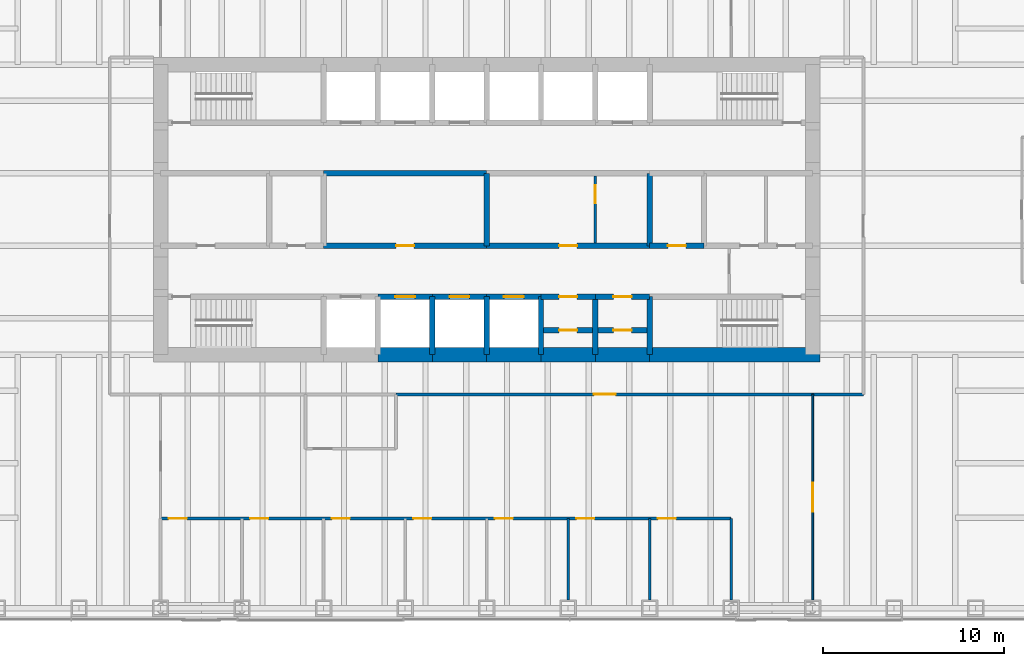
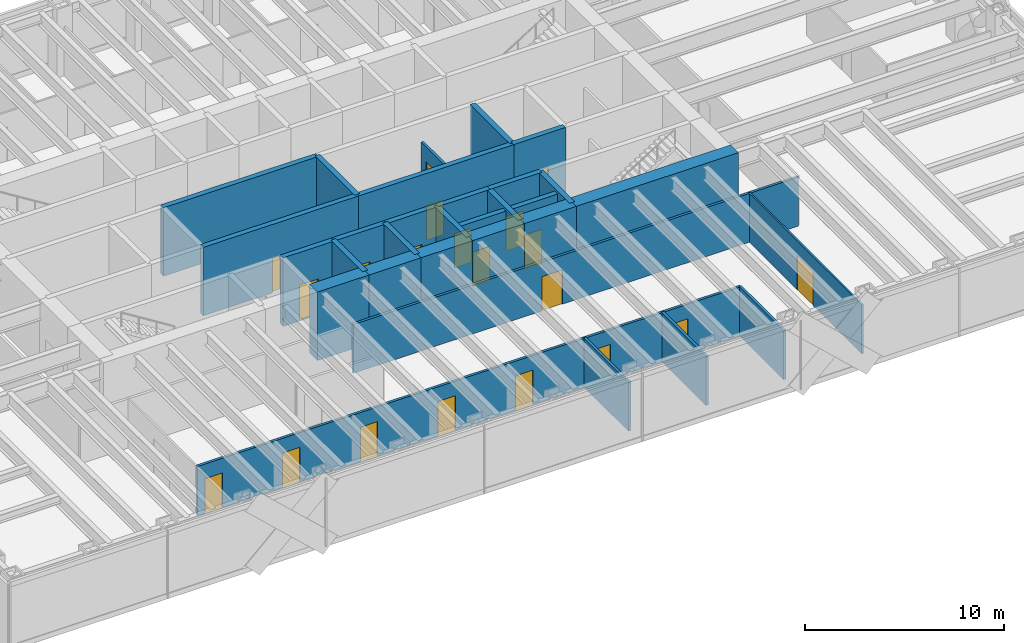
# One storey, part 11 of 14: 31 walls, 20 doors, 20 openings.
"""IFC4 building model written with IfcOpenShell, lengths in metres."""

from ifc_helpers import new_model, si_unit, direction, frame, frame_2d, origin, place, context, subcontext, project, spatial, rectangle, extrude, material, layer, layer_set, type_object, element, fill, save


model = new_model("IFC4")

# Units and contexts
model_context = context("Model", 3, precision=1e-05, world=origin(), true_north=direction((0.0, 1.0)))
body_context = subcontext(model_context, "Body", "Model", "MODEL_VIEW")
ifc_project = project(units=[si_unit("LENGTHUNIT", "METRE"), si_unit("AREAUNIT", "SQUARE_METRE"), si_unit("VOLUMEUNIT", "CUBIC_METRE"), si_unit("PLANEANGLEUNIT", "RADIAN"), si_unit("MASSUNIT", "GRAM", prefix="KILO")], contexts=[model_context])

# Site, building, storey
site_placement = place(None, origin())
site = spatial("IfcSite", under=ifc_project, at=site_placement, CompositionType="ELEMENT")
building_placement = place(site_placement, origin())
building = spatial("IfcBuilding", under=site, at=building_placement, Name="Rheinbord Bourse Tower", CompositionType="ELEMENT")
storey_placement = place(building_placement, frame((0.0, 0.0, 198.39990234375)))
storey = spatial("IfcBuildingStorey", under=building, at=storey_placement, Name="L44", CompositionType="ELEMENT", Elevation=198.39990234375)

# Wall, opening, door
ifc_material_1 = material(Name="Concrete C50/60", Category="concrete")
ifc_layer_1 = layer(ifc_material_1, 0.300048828125)
ifc_layer_set_1 = layer_set([ifc_layer_1], Name="CORE INNER WALL 300")
wall_type_1 = type_object("IfcWallType", Name="CORE INNER WALL 300", PredefinedType="SOLIDWALL", material=ifc_layer_set_1)
wall_1_placement = place(storey_placement, frame((30.0, 19.199951171875, 0.0), z_axis=(0.0, 0.0, 1.0), x_axis=(1.0, 0.0, 0.0)))
wall_1 = element("IfcWall", 1, at=wall_1_placement, inside=storey, type_object=wall_type_1, Name="Core wall A3 L44", PredefinedType="SOLIDWALL", context=body_context, shape_type="SweptSolid", body=[
    extrude(rectangle(XDim=3.0, YDim=0.300048828125, at=frame_2d((1.5, 0.0))), origin(), (0.0, 0.0, 1.0), 4.2001953125),
])
opening_1_placement = place(wall_1_placement, frame((0.949951171875, 0.0, 0.0)))
opening_1 = element("IfcOpeningElement", 2, at=opening_1_placement, cuts=wall_1, Name="Opening PC1", PredefinedType="OPENING", context=body_context, shape_type="SweptSolid", body=[
    extrude(rectangle(XDim=1.10009765625, YDim=2.199951171875, at=frame_2d((0.550048828125, 1.10009765625))), frame((0.0, 0.159912109375, 0.0), z_axis=(0.0, -1.0, 0.0), x_axis=(1.0, 0.0, 0.0)), (0.0, 0.0, 1.0), 0.320068359375),
])
ifc_material_2 = material(Name="Steel landing door", Category="steel")
door_type_1 = type_object("IfcDoorType", Name="LIFT LANDING DOOR 1100", OperationType="DOUBLE_DOOR_SLIDING", PredefinedType="USERDEFINED", material=ifc_material_2)
door_1_placement = place(opening_1_placement, origin())
door_1 = element("IfcDoor", 3, at=door_1_placement, inside=storey, type_object=door_type_1, Name="Lift landing door PC1 L44", ObjectType="LIFT LANDING DOOR", OperationType="DOUBLE_DOOR_SLIDING", OverallHeight=2.199951171875, OverallWidth=1.10009765625, PredefinedType="USERDEFINED", context=body_context, shape_type="SweptSolid", body=[
    extrude(rectangle(XDim=1.10009765625, YDim=2.199951171875, at=frame_2d((0.550048828125, 1.10009765625))), frame((0.0, 0.02490234375, 0.0), z_axis=(0.0, -1.0, 0.0), x_axis=(1.0, 0.0, 0.0)), (0.0, 0.0, 1.0), 0.050048828125),
])
fill(opening_1, door_1)

wall_2_placement = place(storey_placement, frame((33.0, 19.199951171875, 0.0), z_axis=(0.0, 0.0, 1.0), x_axis=(1.0, 0.0, 0.0)))
wall_2 = element("IfcWall", 4, at=wall_2_placement, inside=storey, type_object=wall_type_1, Name="Core wall A4 L44", PredefinedType="SOLIDWALL", context=body_context, shape_type="SweptSolid", body=[
    extrude(rectangle(XDim=3.0, YDim=0.300048828125, at=frame_2d((1.5, 0.0))), origin(), (0.0, 0.0, 1.0), 4.2001953125),
])
opening_2_placement = place(wall_2_placement, frame((0.949951171875, 0.0, 0.0)))
opening_2 = element("IfcOpeningElement", 5, at=opening_2_placement, cuts=wall_2, Name="Opening PC2", PredefinedType="OPENING", context=body_context, shape_type="SweptSolid", body=[
    extrude(rectangle(XDim=1.10009765625, YDim=2.199951171875, at=frame_2d((0.550048828125, 1.10009765625))), frame((0.0, 0.159912109375, 0.0), z_axis=(0.0, -1.0, 0.0), x_axis=(1.0, 0.0, 0.0)), (0.0, 0.0, 1.0), 0.320068359375),
])
door_2_placement = place(opening_2_placement, origin())
door_2 = element("IfcDoor", 6, at=door_2_placement, inside=storey, type_object=door_type_1, Name="Lift landing door PC2 L44", ObjectType="LIFT LANDING DOOR", OperationType="DOUBLE_DOOR_SLIDING", OverallHeight=2.199951171875, OverallWidth=1.10009765625, PredefinedType="USERDEFINED", context=body_context, shape_type="SweptSolid", body=[
    extrude(rectangle(XDim=1.10009765625, YDim=2.199951171875, at=frame_2d((0.550048828125, 1.10009765625))), frame((0.0, 0.02490234375, 0.0), z_axis=(0.0, -1.0, 0.0), x_axis=(1.0, 0.0, 0.0)), (0.0, 0.0, 1.0), 0.050048828125),
])
fill(opening_2, door_2)

wall_3_placement = place(storey_placement, frame((36.0, 19.199951171875, 0.0), z_axis=(0.0, 0.0, 1.0), x_axis=(1.0, 0.0, 0.0)))
wall_3 = element("IfcWall", 7, at=wall_3_placement, inside=storey, type_object=wall_type_1, Name="Core wall A5 L44", PredefinedType="SOLIDWALL", context=body_context, shape_type="SweptSolid", body=[
    extrude(rectangle(XDim=3.0, YDim=0.300048828125, at=frame_2d((1.5, 0.0))), origin(), (0.0, 0.0, 1.0), 4.2001953125),
])
opening_3_placement = place(wall_3_placement, frame((0.949951171875, 0.0, 0.0)))
opening_3 = element("IfcOpeningElement", 8, at=opening_3_placement, cuts=wall_3, Name="Opening PC3", PredefinedType="OPENING", context=body_context, shape_type="SweptSolid", body=[
    extrude(rectangle(XDim=1.10009765625, YDim=2.199951171875, at=frame_2d((0.550048828125, 1.10009765625))), frame((0.0, 0.159912109375, 0.0), z_axis=(0.0, -1.0, 0.0), x_axis=(1.0, 0.0, 0.0)), (0.0, 0.0, 1.0), 0.320068359375),
])
door_3_placement = place(opening_3_placement, origin())
door_3 = element("IfcDoor", 9, at=door_3_placement, inside=storey, type_object=door_type_1, Name="Lift landing door PC3 L44", ObjectType="LIFT LANDING DOOR", OperationType="DOUBLE_DOOR_SLIDING", OverallHeight=2.199951171875, OverallWidth=1.10009765625, PredefinedType="USERDEFINED", context=body_context, shape_type="SweptSolid", body=[
    extrude(rectangle(XDim=1.10009765625, YDim=2.199951171875, at=frame_2d((0.550048828125, 1.10009765625))), frame((0.0, 0.02490234375, 0.0), z_axis=(0.0, -1.0, 0.0), x_axis=(1.0, 0.0, 0.0)), (0.0, 0.0, 1.0), 0.050048828125),
])
fill(opening_3, door_3)

wall_4_placement = place(storey_placement, frame((39.0, 19.199951171875, 0.0), z_axis=(0.0, 0.0, 1.0), x_axis=(1.0, 0.0, 0.0)))
wall_4 = element("IfcWall", 10, at=wall_4_placement, inside=storey, type_object=wall_type_1, Name="Core wall A6 L44", PredefinedType="SOLIDWALL", context=body_context, shape_type="SweptSolid", body=[
    extrude(rectangle(XDim=3.0, YDim=0.300048828125, at=frame_2d((1.5, 0.0))), origin(), (0.0, 0.0, 1.0), 4.2001953125),
])
opening_4_placement = place(wall_4_placement, frame((1.0, 0.0, 0.0)))
opening_4 = element("IfcOpeningElement", 11, at=opening_4_placement, cuts=wall_4, Name="Opening 44R8", PredefinedType="OPENING", context=body_context, shape_type="SweptSolid", body=[
    extrude(rectangle(XDim=1.0, YDim=2.10009765625, at=frame_2d((0.5, 1.050048828125))), frame((0.0, 0.159912109375, 0.0), z_axis=(0.0, -1.0, 0.0), x_axis=(1.0, 0.0, 0.0)), (0.0, 0.0, 1.0), 0.320068359375),
])
ifc_material_3 = material(Name="Steel door", Category="steel")
door_type_2 = type_object("IfcDoorType", Name="DOOR 1000 EI30", OperationType="SINGLE_SWING_LEFT", PredefinedType="DOOR", material=ifc_material_3)
door_4_placement = place(opening_4_placement, origin())
door_4 = element("IfcDoor", 12, at=door_4_placement, inside=storey, type_object=door_type_2, Name="Mail room door L44", OperationType="SINGLE_SWING_LEFT", OverallHeight=2.10009765625, OverallWidth=1.0, PredefinedType="DOOR", context=body_context, shape_type="SweptSolid", body=[
    extrude(rectangle(XDim=1.0, YDim=2.10009765625, at=frame_2d((0.5, 1.050048828125))), frame((0.0, 0.02490234375, 0.0), z_axis=(0.0, -1.0, 0.0), x_axis=(1.0, 0.0, 0.0)), (0.0, 0.0, 1.0), 0.050048828125),
])
fill(opening_4, door_4)

wall_5_placement = place(storey_placement, frame((42.0, 19.199951171875, 0.0), z_axis=(0.0, 0.0, 1.0), x_axis=(1.0, 0.0, 0.0)))
wall_5 = element("IfcWall", 13, at=wall_5_placement, inside=storey, type_object=wall_type_1, Name="Core wall A7 L44", PredefinedType="SOLIDWALL", context=body_context, shape_type="SweptSolid", body=[
    extrude(rectangle(XDim=3.0, YDim=0.300048828125, at=frame_2d((1.5, 0.0))), origin(), (0.0, 0.0, 1.0), 4.2001953125),
])
opening_5_placement = place(wall_5_placement, frame((1.0, 0.0, 0.0)))
opening_5 = element("IfcOpeningElement", 14, at=opening_5_placement, cuts=wall_5, Name="Opening 44R9", PredefinedType="OPENING", context=body_context, shape_type="SweptSolid", body=[
    extrude(rectangle(XDim=1.0, YDim=2.10009765625, at=frame_2d((0.5, 1.050048828125))), frame((0.0, 0.159912109375, 0.0), z_axis=(0.0, -1.0, 0.0), x_axis=(1.0, 0.0, 0.0)), (0.0, 0.0, 1.0), 0.320068359375),
])
door_5_placement = place(opening_5_placement, origin())
door_5 = element("IfcDoor", 15, at=door_5_placement, inside=storey, type_object=door_type_2, Name="Stationery store door L44", OperationType="SINGLE_SWING_LEFT", OverallHeight=2.10009765625, OverallWidth=1.0, PredefinedType="DOOR", context=body_context, shape_type="SweptSolid", body=[
    extrude(rectangle(XDim=1.0, YDim=2.10009765625, at=frame_2d((0.5, 1.050048828125))), frame((0.0, 0.02490234375, 0.0), z_axis=(0.0, -1.0, 0.0), x_axis=(1.0, 0.0, 0.0)), (0.0, 0.0, 1.0), 0.050048828125),
])
fill(opening_5, door_5)

wall_6_placement = place(storey_placement, frame((27.0, 22.0, 0.0), z_axis=(0.0, 0.0, 1.0), x_axis=(1.0, 0.0, 0.0)))
wall_6 = element("IfcWall", 16, at=wall_6_placement, inside=storey, type_object=wall_type_1, Name="Core wall C3 L44", PredefinedType="SOLIDWALL", context=body_context, shape_type="SweptSolid", body=[
    extrude(rectangle(XDim=9.0, YDim=0.300048828125, at=frame_2d((4.5, 0.0))), origin(), (0.0, 0.0, 1.0), 4.2001953125),
])
opening_6_placement = place(wall_6_placement, frame((4.0, 0.0, 0.0)))
opening_6 = element("IfcOpeningElement", 17, at=opening_6_placement, cuts=wall_6, Name="Opening 44R3", PredefinedType="OPENING", context=body_context, shape_type="SweptSolid", body=[
    extrude(rectangle(XDim=1.0, YDim=2.10009765625, at=frame_2d((0.5, 1.050048828125))), frame((0.0, 0.159912109375, 0.0), z_axis=(0.0, -1.0, 0.0), x_axis=(1.0, 0.0, 0.0)), (0.0, 0.0, 1.0), 0.320068359375),
])
door_6_placement = place(opening_6_placement, origin())
door_6 = element("IfcDoor", 18, at=door_6_placement, inside=storey, type_object=door_type_2, Name="Riser door L44", OperationType="SINGLE_SWING_LEFT", OverallHeight=2.10009765625, OverallWidth=1.0, PredefinedType="DOOR", context=body_context, shape_type="SweptSolid", body=[
    extrude(rectangle(XDim=1.0, YDim=2.10009765625, at=frame_2d((0.5, 1.050048828125))), frame((0.0, 0.02490234375, 0.0), z_axis=(0.0, -1.0, 0.0), x_axis=(1.0, 0.0, 0.0)), (0.0, 0.0, 1.0), 0.050048828125),
])
fill(opening_6, door_6)

wall_7_placement = place(storey_placement, frame((36.0, 22.0, 0.0), z_axis=(0.0, 0.0, 1.0), x_axis=(1.0, 0.0, 0.0)))
wall_7 = element("IfcWall", 19, at=wall_7_placement, inside=storey, type_object=wall_type_1, Name="Core wall C4 L44", PredefinedType="SOLIDWALL", context=body_context, shape_type="SweptSolid", body=[
    extrude(rectangle(XDim=9.0, YDim=0.300048828125, at=frame_2d((4.5, 0.0))), origin(), (0.0, 0.0, 1.0), 4.2001953125),
])
opening_7_placement = place(wall_7_placement, frame((4.0, 0.0, 0.0)))
opening_7 = element("IfcOpeningElement", 20, at=opening_7_placement, cuts=wall_7, Name="Opening 44R4", PredefinedType="OPENING", context=body_context, shape_type="SweptSolid", body=[
    extrude(rectangle(XDim=1.0, YDim=2.10009765625, at=frame_2d((0.5, 1.050048828125))), frame((0.0, 0.159912109375, 0.0), z_axis=(0.0, -1.0, 0.0), x_axis=(1.0, 0.0, 0.0)), (0.0, 0.0, 1.0), 0.320068359375),
])
door_7_placement = place(opening_7_placement, origin())
door_7 = element("IfcDoor", 21, at=door_7_placement, inside=storey, type_object=door_type_2, Name="IT room door L44", OperationType="SINGLE_SWING_LEFT", OverallHeight=2.10009765625, OverallWidth=1.0, PredefinedType="DOOR", context=body_context, shape_type="SweptSolid", body=[
    extrude(rectangle(XDim=1.0, YDim=2.10009765625, at=frame_2d((0.5, 1.050048828125))), frame((0.0, 0.02490234375, 0.0), z_axis=(0.0, -1.0, 0.0), x_axis=(1.0, 0.0, 0.0)), (0.0, 0.0, 1.0), 0.050048828125),
])
fill(opening_7, door_7)

wall_8_placement = place(storey_placement, frame((45.0, 22.0, 0.0), z_axis=(0.0, 0.0, 1.0), x_axis=(1.0, 0.0, 0.0)))
wall_8 = element("IfcWall", 22, at=wall_8_placement, inside=storey, type_object=wall_type_1, Name="Core wall C5 L44", PredefinedType="SOLIDWALL", context=body_context, shape_type="SweptSolid", body=[
    extrude(rectangle(XDim=3.0, YDim=0.300048828125, at=frame_2d((1.5, 0.0))), origin(), (0.0, 0.0, 1.0), 4.2001953125),
])
opening_8_placement = place(wall_8_placement, frame((1.0, 0.0, 0.0)))
opening_8 = element("IfcOpeningElement", 23, at=opening_8_placement, cuts=wall_8, Name="Opening 44R5", PredefinedType="OPENING", context=body_context, shape_type="SweptSolid", body=[
    extrude(rectangle(XDim=1.0, YDim=2.10009765625, at=frame_2d((0.5, 1.050048828125))), frame((0.0, 0.159912109375, 0.0), z_axis=(0.0, -1.0, 0.0), x_axis=(1.0, 0.0, 0.0)), (0.0, 0.0, 1.0), 0.320068359375),
])
ifc_material_4 = material(Name="Timber door", Category="wood")
door_type_3 = type_object("IfcDoorType", Name="DOOR 1000 WC", OperationType="SINGLE_SWING_LEFT", PredefinedType="DOOR", material=ifc_material_4)
door_8_placement = place(opening_8_placement, origin())
door_8 = element("IfcDoor", 24, at=door_8_placement, inside=storey, type_object=door_type_3, Name="Accessible WC door L44", OperationType="SINGLE_SWING_LEFT", OverallHeight=2.10009765625, OverallWidth=1.0, PredefinedType="DOOR", context=body_context, shape_type="SweptSolid", body=[
    extrude(rectangle(XDim=1.0, YDim=2.10009765625, at=frame_2d((0.5, 1.050048828125))), frame((0.0, 0.02490234375, 0.0), z_axis=(0.0, -1.0, 0.0), x_axis=(1.0, 0.0, 0.0)), (0.0, 0.0, 1.0), 0.050048828125),
])
fill(opening_8, door_8)

# Walls
wall_9_placement = place(storey_placement, frame((27.0, 26.0, 0.0), z_axis=(0.0, 0.0, 1.0), x_axis=(1.0, 0.0, 0.0)))
element("IfcWall", 25, at=wall_9_placement, inside=storey, type_object=wall_type_1, Name="Core wall D3 L44", PredefinedType="SOLIDWALL", context=body_context, shape_type="SweptSolid", body=[
    extrude(rectangle(XDim=9.0, YDim=0.300048828125, at=frame_2d((4.5, 0.0))), origin(), (0.0, 0.0, 1.0), 4.2001953125),
])
for number, where, z_axis, x_axis, name in (
    (26, (33.0, 16.0, 0.0), (0.0, 0.0, 1.0), (0.0, 1.0, 0.0), "Core wall SX33 L44"),
    (27, (36.0, 16.0, 0.0), (0.0, 0.0, 1.0), (0.0, 1.0, 0.0), "Core wall SX36 L44"),
    (28, (39.0, 16.0, 0.0), (0.0, 0.0, 1.0), (0.0, 1.0, 0.0), "Core wall SX39 L44"),
    (29, (42.0, 16.0, 0.0), (0.0, 0.0, 1.0), (0.0, 1.0, 0.0), "Core wall SX42 L44"),
    (30, (45.0, 16.0, 0.0), (0.0, 0.0, 1.0), (0.0, 1.0, 0.0), "Core wall SX45 L44"),
):
    element("IfcWall", number, at=place(storey_placement, frame(where, z_axis=z_axis, x_axis=x_axis)), inside=storey, type_object=wall_type_1, Name=name, PredefinedType="SOLIDWALL", context=body_context, shape_type="SweptSolid", body=[
        extrude(rectangle(XDim=3.199951171875, YDim=0.300048828125, at=frame_2d((1.60009765625, 0.0))), origin(), (0.0, 0.0, 1.0), 4.2001953125),
    ])
for number, where, z_axis, x_axis, name in (
    (31, (36.0, 22.0, 0.0), (0.0, 0.0, 1.0), (0.0, 1.0, 0.0), "Core wall MX36 L44"),
    (32, (45.0, 22.0, 0.0), (0.0, 0.0, 1.0), (0.0, 1.0, 0.0), "Core wall MX45 L44"),
):
    element("IfcWall", number, at=place(storey_placement, frame(where, z_axis=z_axis, x_axis=x_axis)), inside=storey, type_object=wall_type_1, Name=name, PredefinedType="SOLIDWALL", context=body_context, shape_type="SweptSolid", body=[
        extrude(rectangle(XDim=4.0, YDim=0.300048828125, at=frame_2d((2.0, 0.0))), origin(), (0.0, 0.0, 1.0), 4.2001953125),
    ])

# Wall, opening, door
wall_10_placement = place(storey_placement, frame((39.14990234375, 17.35009765625, 0.0), z_axis=(0.0, 0.0, 1.0), x_axis=(1.0, 0.0, 0.0)))
wall_10 = element("IfcWall", 33, at=wall_10_placement, inside=storey, type_object=wall_type_1, Name="Core riser wall L44-6", PredefinedType="SOLIDWALL", context=body_context, shape_type="SweptSolid", body=[
    extrude(rectangle(XDim=2.7001953125, YDim=0.300048828125, at=frame_2d((1.35009765625, 0.0))), origin(), (0.0, 0.0, 1.0), 4.0400390625),
])
opening_9_placement = place(wall_10_placement, frame((0.85009765625, 0.0, 0.0)))
opening_9 = element("IfcOpeningElement", 34, at=opening_9_placement, cuts=wall_10, Name="Opening 44R12", PredefinedType="OPENING", context=body_context, shape_type="SweptSolid", body=[
    extrude(rectangle(XDim=1.0, YDim=2.10009765625, at=frame_2d((0.5, 1.050048828125))), frame((0.0, 0.159912109375, 0.0), z_axis=(0.0, -1.0, 0.0), x_axis=(1.0, 0.0, 0.0)), (0.0, 0.0, 1.0), 0.320068359375),
])
door_9_placement = place(opening_9_placement, origin())
door_9 = element("IfcDoor", 35, at=door_9_placement, inside=storey, type_object=door_type_2, Name="Comms riser door L44", OperationType="SINGLE_SWING_LEFT", OverallHeight=2.10009765625, OverallWidth=1.0, PredefinedType="DOOR", context=body_context, shape_type="SweptSolid", body=[
    extrude(rectangle(XDim=1.0, YDim=2.10009765625, at=frame_2d((0.5, 1.050048828125))), frame((0.0, 0.02490234375, 0.0), z_axis=(0.0, -1.0, 0.0), x_axis=(1.0, 0.0, 0.0)), (0.0, 0.0, 1.0), 0.050048828125),
])
fill(opening_9, door_9)

wall_11_placement = place(storey_placement, frame((42.14990234375, 17.35009765625, 0.0), z_axis=(0.0, 0.0, 1.0), x_axis=(1.0, 0.0, 0.0)))
wall_11 = element("IfcWall", 36, at=wall_11_placement, inside=storey, type_object=wall_type_1, Name="Core riser wall L44-7", PredefinedType="SOLIDWALL", context=body_context, shape_type="SweptSolid", body=[
    extrude(rectangle(XDim=2.7001953125, YDim=0.300048828125, at=frame_2d((1.35009765625, 0.0))), origin(), (0.0, 0.0, 1.0), 4.0400390625),
])
opening_10_placement = place(wall_11_placement, frame((0.85009765625, 0.0, 0.0)))
opening_10 = element("IfcOpeningElement", 37, at=opening_10_placement, cuts=wall_11, Name="Opening 44R13", PredefinedType="OPENING", context=body_context, shape_type="SweptSolid", body=[
    extrude(rectangle(XDim=1.0, YDim=2.10009765625, at=frame_2d((0.5, 1.050048828125))), frame((0.0, 0.159912109375, 0.0), z_axis=(0.0, -1.0, 0.0), x_axis=(1.0, 0.0, 0.0)), (0.0, 0.0, 1.0), 0.320068359375),
])
door_10_placement = place(opening_10_placement, origin())
door_10 = element("IfcDoor", 38, at=door_10_placement, inside=storey, type_object=door_type_2, Name="Electrical riser door L44", OperationType="SINGLE_SWING_LEFT", OverallHeight=2.10009765625, OverallWidth=1.0, PredefinedType="DOOR", context=body_context, shape_type="SweptSolid", body=[
    extrude(rectangle(XDim=1.0, YDim=2.10009765625, at=frame_2d((0.5, 1.050048828125))), frame((0.0, 0.02490234375, 0.0), z_axis=(0.0, -1.0, 0.0), x_axis=(1.0, 0.0, 0.0)), (0.0, 0.0, 1.0), 0.050048828125),
])
fill(opening_10, door_10)

ifc_material_5 = material(Name="Gypsum board fire partition", Category="gypsum board")
ifc_layer_2 = layer(ifc_material_5, 0.14990234375)
ifc_layer_set_2 = layer_set([ifc_layer_2], Name="CORE PARTITION 150 EI30")
wall_type_2 = type_object("IfcWallType", Name="CORE PARTITION 150 EI30", PredefinedType="PARTITIONING", material=ifc_layer_set_2)
wall_12_placement = place(storey_placement, frame((42.0, 22.14990234375, 0.0), z_axis=(0.0, 0.0, 1.0), x_axis=(0.0, 1.0, 0.0)))
wall_12 = element("IfcWall", 39, at=wall_12_placement, inside=storey, type_object=wall_type_2, Name="Core partition L44-1", PredefinedType="PARTITIONING", context=body_context, shape_type="SweptSolid", body=[
    extrude(rectangle(XDim=3.7001953125, YDim=0.14990234375, at=frame_2d((1.85009765625, 0.0))), origin(), (0.0, 0.0, 1.0), 3.0),
])
opening_11_placement = place(wall_12_placement, frame((2.199951171875, 0.0, 0.0)))
opening_11 = element("IfcOpeningElement", 40, at=opening_11_placement, cuts=wall_12, Name="Opening 44R7", PredefinedType="OPENING", context=body_context, shape_type="SweptSolid", body=[
    extrude(rectangle(XDim=1.0, YDim=2.10009765625, at=frame_2d((0.5, 1.050048828125))), frame((0.0, 0.0849609375, 0.0), z_axis=(0.0, -1.0, 0.0), x_axis=(1.0, 0.0, 0.0)), (0.0, 0.0, 1.0), 0.169921875),
])
door_11_placement = place(opening_11_placement, origin())
door_11 = element("IfcDoor", 41, at=door_11_placement, inside=storey, type_object=door_type_2, Name="Store door L44", OperationType="SINGLE_SWING_RIGHT", OverallHeight=2.10009765625, OverallWidth=1.0, PredefinedType="DOOR", context=body_context, shape_type="SweptSolid", body=[
    extrude(rectangle(XDim=1.0, YDim=2.10009765625, at=frame_2d((0.5, 1.050048828125))), frame((0.0, 0.02490234375, 0.0), z_axis=(0.0, -1.0, 0.0), x_axis=(1.0, 0.0, 0.0)), (0.0, 0.0, 1.0), 0.050048828125),
])
fill(opening_11, door_11)

# Walls
ifc_material_6 = material(Name="Concrete C50/60", Category="concrete")
ifc_layer_3 = layer(ifc_material_6, 0.800048828125)
ifc_layer_set_3 = layer_set([ifc_layer_3], Name="CORE WALL 800")
wall_type_3 = type_object("IfcWallType", Name="CORE WALL 800", PredefinedType="SHEAR", material=ifc_layer_set_3)
for number, where, z_axis, x_axis, name in (
    (42, (30.0, 16.0, 0.0), (0.0, 0.0, 1.0), (1.0, 0.0, 0.0), "Core wall S3 L44"),
    (43, (33.0, 16.0, 0.0), (0.0, 0.0, 1.0), (1.0, 0.0, 0.0), "Core wall S4 L44"),
    (44, (36.0, 16.0, 0.0), (0.0, 0.0, 1.0), (1.0, 0.0, 0.0), "Core wall S5 L44"),
    (45, (39.0, 16.0, 0.0), (0.0, 0.0, 1.0), (1.0, 0.0, 0.0), "Core wall S6 L44"),
    (46, (42.0, 16.0, 0.0), (0.0, 0.0, 1.0), (1.0, 0.0, 0.0), "Core wall S7 L44"),
):
    element("IfcWall", number, at=place(storey_placement, frame(where, z_axis=z_axis, x_axis=x_axis)), inside=storey, type_object=wall_type_3, Name=name, PredefinedType="SHEAR", context=body_context, shape_type="SweptSolid", body=[
        extrude(rectangle(XDim=3.0, YDim=0.800048828125, at=frame_2d((1.5, 0.0))), origin(), (0.0, 0.0, 1.0), 4.2001953125),
    ])
wall_13_placement = place(storey_placement, frame((45.0, 16.0, 0.0), z_axis=(0.0, 0.0, 1.0), x_axis=(1.0, 0.0, 0.0)))
element("IfcWall", 47, at=wall_13_placement, inside=storey, type_object=wall_type_3, Name="Core wall S8 L44", PredefinedType="SHEAR", context=body_context, shape_type="SweptSolid", body=[
    extrude(rectangle(XDim=9.39990234375, YDim=0.800048828125, at=frame_2d((4.699951171875, 0.0))), origin(), (0.0, 0.0, 1.0), 4.2001953125),
])

# Wall, opening, door
ifc_material_7 = material(Name="Gypsum board corridor partition", Category="gypsum board")
ifc_layer_4 = layer(ifc_material_7, 0.14990234375)
ifc_layer_set_4 = layer_set([ifc_layer_4], Name="CORRIDOR PARTITION 150 EI30")
wall_type_4 = type_object("IfcWallType", Name="CORRIDOR PARTITION 150 EI30", PredefinedType="PARTITIONING", material=ifc_layer_set_4)
wall_14_placement = place(storey_placement, frame((31.0, 13.800048828125, 0.0), z_axis=(0.0, 0.0, 1.0), x_axis=(1.0, 0.0, 0.0)))
wall_14 = element("IfcWall", 48, at=wall_14_placement, inside=storey, type_object=wall_type_4, Name="Partition L44-05", PredefinedType="PARTITIONING", context=body_context, shape_type="SweptSolid", body=[
    extrude(rectangle(XDim=25.800048828125, YDim=0.14990234375, at=frame_2d((12.89990234375, 0.0))), origin(), (0.0, 0.0, 1.0), 3.0),
])
opening_12_placement = place(wall_14_placement, frame((10.925048828125, 0.0, 0.0)))
opening_12 = element("IfcOpeningElement", 49, at=opening_12_placement, cuts=wall_14, Name="Opening 44D25", PredefinedType="OPENING", context=body_context, shape_type="SweptSolid", body=[
    extrude(rectangle(XDim=1.199951171875, YDim=2.10009765625, at=frame_2d((0.60009765625, 1.050048828125))), frame((0.0, 0.0849609375, 0.0), z_axis=(0.0, -1.0, 0.0), x_axis=(1.0, 0.0, 0.0)), (0.0, 0.0, 1.0), 0.169921875),
])
ifc_material_8 = material(Name="Timber fire door", Category="wood")
door_type_4 = type_object("IfcDoorType", Name="SUITE ENTRANCE DOOR 1200 EI30", OperationType="SINGLE_SWING_LEFT", PredefinedType="DOOR", material=ifc_material_8)
door_12_placement = place(opening_12_placement, origin())
door_12 = element("IfcDoor", 50, at=door_12_placement, inside=storey, type_object=door_type_4, Name="Suite entrance 3 door L44", OperationType="SINGLE_SWING_LEFT", OverallHeight=2.10009765625, OverallWidth=1.199951171875, PredefinedType="DOOR", context=body_context, shape_type="SweptSolid", body=[
    extrude(rectangle(XDim=1.199951171875, YDim=2.10009765625, at=frame_2d((0.60009765625, 1.050048828125))), frame((0.0, 0.02490234375, 0.0), z_axis=(0.0, -1.0, 0.0), x_axis=(1.0, 0.0, 0.0)), (0.0, 0.0, 1.0), 0.050048828125),
])
fill(opening_12, door_12)

ifc_material_9 = material(Name="Toughened laminated glass partition", Category="glass")
ifc_layer_5 = layer(ifc_material_9, 0.10009765625)
ifc_layer_set_5 = layer_set([ifc_layer_5], Name="GLAZED PARTITION 100")
wall_type_5 = type_object("IfcWallType", Name="GLAZED PARTITION 100", PredefinedType="PARTITIONING", material=ifc_layer_set_5)
wall_15_placement = place(storey_placement, frame((54.0, 2.449951171875, 0.0), z_axis=(0.0, 0.0, 1.0), x_axis=(0.0, 1.0, 0.0)))
wall_15 = element("IfcWall", 51, at=wall_15_placement, inside=storey, type_object=wall_type_5, Name="Partition L44-38", PredefinedType="PARTITIONING", context=body_context, shape_type="SweptSolid", body=[
    extrude(rectangle(XDim=11.35009765625, YDim=0.10009765625, at=frame_2d((5.675048828125, 0.0))), origin(), (0.0, 0.0, 1.0), 3.0),
])
opening_13_placement = place(wall_15_placement, frame((4.875, 0.0, 0.0)))
opening_13 = element("IfcOpeningElement", 52, at=opening_13_placement, cuts=wall_15, Name="Opening 44D21", PredefinedType="OPENING", context=body_context, shape_type="SweptSolid", body=[
    extrude(rectangle(XDim=1.60009765625, YDim=2.10009765625, at=frame_2d((0.800048828125, 1.050048828125))), frame((0.0, 0.06005859375, 0.0), z_axis=(0.0, -1.0, 0.0), x_axis=(1.0, 0.0, 0.0)), (0.0, 0.0, 1.0), 0.1201171875),
])
ifc_material_10 = material(Name="Timber door", Category="wood")
door_type_5 = type_object("IfcDoorType", Name="DOUBLE ROOM DOOR 1600", OperationType="DOUBLE_DOOR_DOUBLE_SWING", PredefinedType="DOOR", material=ifc_material_10)
door_13_placement = place(opening_13_placement, origin())
door_13 = element("IfcDoor", 53, at=door_13_placement, inside=storey, type_object=door_type_5, Name="Open area door L44", OperationType="SINGLE_SWING_LEFT", OverallHeight=2.10009765625, OverallWidth=1.60009765625, PredefinedType="DOOR", context=body_context, shape_type="SweptSolid", body=[
    extrude(rectangle(XDim=1.60009765625, YDim=2.10009765625, at=frame_2d((0.800048828125, 1.050048828125))), frame((0.0, 0.02490234375, 0.0), z_axis=(0.0, -1.0, 0.0), x_axis=(1.0, 0.0, 0.0)), (0.0, 0.0, 1.0), 0.050048828125),
])
fill(opening_13, door_13)

# Wall, openings, doors
ifc_material_11 = material(Name="Gypsum board partition", Category="gypsum board")
ifc_layer_6 = layer(ifc_material_11, 0.14990234375)
ifc_layer_set_6 = layer_set([ifc_layer_6], Name="PARTITION 150")
wall_type_6 = type_object("IfcWallType", Name="PARTITION 150", PredefinedType="PARTITIONING", material=ifc_layer_set_6)
wall_16_placement = place(storey_placement, frame((18.0, 6.949951171875, 0.0), z_axis=(0.0, 0.0, 1.0), x_axis=(1.0, 0.0, 0.0)))
wall_16 = element("IfcWall", 54, at=wall_16_placement, inside=storey, type_object=wall_type_6, Name="Partition L44-01", PredefinedType="PARTITIONING", context=body_context, shape_type="SweptSolid", body=[
    extrude(rectangle(XDim=31.5, YDim=0.14990234375, at=frame_2d((15.75, 0.0))), origin(), (0.0, 0.0, 1.0), 3.0),
])
opening_14_placement = place(wall_16_placement, frame((0.449951171875, 0.0, 0.0)))
opening_14 = element("IfcOpeningElement", 55, at=opening_14_placement, cuts=wall_16, Name="Opening 44D01", PredefinedType="OPENING", context=body_context, shape_type="SweptSolid", body=[
    extrude(rectangle(XDim=1.0, YDim=2.10009765625, at=frame_2d((0.5, 1.050048828125))), frame((0.0, 0.0849609375, 0.0), z_axis=(0.0, -1.0, 0.0), x_axis=(1.0, 0.0, 0.0)), (0.0, 0.0, 1.0), 0.169921875),
])
opening_15_placement = place(wall_16_placement, frame((4.949951171875, 0.0, 0.0)))
opening_15 = element("IfcOpeningElement", 56, at=opening_15_placement, cuts=wall_16, Name="Opening 44D02", PredefinedType="OPENING", context=body_context, shape_type="SweptSolid", body=[
    extrude(rectangle(XDim=1.0, YDim=2.10009765625, at=frame_2d((0.5, 1.050048828125))), frame((0.0, 0.0849609375, 0.0), z_axis=(0.0, -1.0, 0.0), x_axis=(1.0, 0.0, 0.0)), (0.0, 0.0, 1.0), 0.169921875),
])
opening_16_placement = place(wall_16_placement, frame((9.449951171875, 0.0, 0.0)))
opening_16 = element("IfcOpeningElement", 57, at=opening_16_placement, cuts=wall_16, Name="Opening 44D03", PredefinedType="OPENING", context=body_context, shape_type="SweptSolid", body=[
    extrude(rectangle(XDim=1.0, YDim=2.10009765625, at=frame_2d((0.5, 1.050048828125))), frame((0.0, 0.0849609375, 0.0), z_axis=(0.0, -1.0, 0.0), x_axis=(1.0, 0.0, 0.0)), (0.0, 0.0, 1.0), 0.169921875),
])
opening_17_placement = place(wall_16_placement, frame((13.949951171875, 0.0, 0.0)))
opening_17 = element("IfcOpeningElement", 58, at=opening_17_placement, cuts=wall_16, Name="Opening 44D04", PredefinedType="OPENING", context=body_context, shape_type="SweptSolid", body=[
    extrude(rectangle(XDim=1.0, YDim=2.10009765625, at=frame_2d((0.5, 1.050048828125))), frame((0.0, 0.0849609375, 0.0), z_axis=(0.0, -1.0, 0.0), x_axis=(1.0, 0.0, 0.0)), (0.0, 0.0, 1.0), 0.169921875),
])
opening_18_placement = place(wall_16_placement, frame((18.449951171875, 0.0, 0.0)))
opening_18 = element("IfcOpeningElement", 59, at=opening_18_placement, cuts=wall_16, Name="Opening 44D05", PredefinedType="OPENING", context=body_context, shape_type="SweptSolid", body=[
    extrude(rectangle(XDim=1.0, YDim=2.10009765625, at=frame_2d((0.5, 1.050048828125))), frame((0.0, 0.0849609375, 0.0), z_axis=(0.0, -1.0, 0.0), x_axis=(1.0, 0.0, 0.0)), (0.0, 0.0, 1.0), 0.169921875),
])
opening_19_placement = place(wall_16_placement, frame((22.949951171875, 0.0, 0.0)))
opening_19 = element("IfcOpeningElement", 60, at=opening_19_placement, cuts=wall_16, Name="Opening 44D06", PredefinedType="OPENING", context=body_context, shape_type="SweptSolid", body=[
    extrude(rectangle(XDim=1.0, YDim=2.10009765625, at=frame_2d((0.5, 1.050048828125))), frame((0.0, 0.0849609375, 0.0), z_axis=(0.0, -1.0, 0.0), x_axis=(1.0, 0.0, 0.0)), (0.0, 0.0, 1.0), 0.169921875),
])
opening_20_placement = place(wall_16_placement, frame((27.449951171875, 0.0, 0.0)))
opening_20 = element("IfcOpeningElement", 61, at=opening_20_placement, cuts=wall_16, Name="Opening 44D07", PredefinedType="OPENING", context=body_context, shape_type="SweptSolid", body=[
    extrude(rectangle(XDim=1.0, YDim=2.10009765625, at=frame_2d((0.5, 1.050048828125))), frame((0.0, 0.0849609375, 0.0), z_axis=(0.0, -1.0, 0.0), x_axis=(1.0, 0.0, 0.0)), (0.0, 0.0, 1.0), 0.169921875),
])
ifc_material_12 = material(Name="Timber door", Category="wood")
door_type_6 = type_object("IfcDoorType", Name="ROOM DOOR 1000", OperationType="SINGLE_SWING_LEFT", PredefinedType="DOOR", material=ifc_material_12)
door_14_placement = place(opening_14_placement, origin())
door_14 = element("IfcDoor", 62, at=door_14_placement, inside=storey, type_object=door_type_6, Name="Office door L44", OperationType="SINGLE_SWING_LEFT", OverallHeight=2.10009765625, OverallWidth=1.0, PredefinedType="DOOR", context=body_context, shape_type="SweptSolid", body=[
    extrude(rectangle(XDim=1.0, YDim=2.10009765625, at=frame_2d((0.5, 1.050048828125))), frame((0.0, 0.02490234375, 0.0), z_axis=(0.0, -1.0, 0.0), x_axis=(1.0, 0.0, 0.0)), (0.0, 0.0, 1.0), 0.050048828125),
])
fill(opening_14, door_14)
door_15_placement = place(opening_15_placement, origin())
door_15 = element("IfcDoor", 63, at=door_15_placement, inside=storey, type_object=door_type_6, Name="Office door L44", OperationType="SINGLE_SWING_LEFT", OverallHeight=2.10009765625, OverallWidth=1.0, PredefinedType="DOOR", context=body_context, shape_type="SweptSolid", body=[
    extrude(rectangle(XDim=1.0, YDim=2.10009765625, at=frame_2d((0.5, 1.050048828125))), frame((0.0, 0.02490234375, 0.0), z_axis=(0.0, -1.0, 0.0), x_axis=(1.0, 0.0, 0.0)), (0.0, 0.0, 1.0), 0.050048828125),
])
fill(opening_15, door_15)
door_16_placement = place(opening_16_placement, origin())
door_16 = element("IfcDoor", 64, at=door_16_placement, inside=storey, type_object=door_type_6, Name="Office door L44", OperationType="SINGLE_SWING_LEFT", OverallHeight=2.10009765625, OverallWidth=1.0, PredefinedType="DOOR", context=body_context, shape_type="SweptSolid", body=[
    extrude(rectangle(XDim=1.0, YDim=2.10009765625, at=frame_2d((0.5, 1.050048828125))), frame((0.0, 0.02490234375, 0.0), z_axis=(0.0, -1.0, 0.0), x_axis=(1.0, 0.0, 0.0)), (0.0, 0.0, 1.0), 0.050048828125),
])
fill(opening_16, door_16)
door_17_placement = place(opening_17_placement, origin())
door_17 = element("IfcDoor", 65, at=door_17_placement, inside=storey, type_object=door_type_6, Name="Office door L44", OperationType="SINGLE_SWING_LEFT", OverallHeight=2.10009765625, OverallWidth=1.0, PredefinedType="DOOR", context=body_context, shape_type="SweptSolid", body=[
    extrude(rectangle(XDim=1.0, YDim=2.10009765625, at=frame_2d((0.5, 1.050048828125))), frame((0.0, 0.02490234375, 0.0), z_axis=(0.0, -1.0, 0.0), x_axis=(1.0, 0.0, 0.0)), (0.0, 0.0, 1.0), 0.050048828125),
])
fill(opening_17, door_17)
door_18_placement = place(opening_18_placement, origin())
door_18 = element("IfcDoor", 66, at=door_18_placement, inside=storey, type_object=door_type_6, Name="Office door L44", OperationType="SINGLE_SWING_RIGHT", OverallHeight=2.10009765625, OverallWidth=1.0, PredefinedType="DOOR", context=body_context, shape_type="SweptSolid", body=[
    extrude(rectangle(XDim=1.0, YDim=2.10009765625, at=frame_2d((0.5, 1.050048828125))), frame((0.0, 0.02490234375, 0.0), z_axis=(0.0, -1.0, 0.0), x_axis=(1.0, 0.0, 0.0)), (0.0, 0.0, 1.0), 0.050048828125),
])
fill(opening_18, door_18)
door_19_placement = place(opening_19_placement, origin())
door_19 = element("IfcDoor", 67, at=door_19_placement, inside=storey, type_object=door_type_6, Name="Office door L44", OperationType="SINGLE_SWING_RIGHT", OverallHeight=2.10009765625, OverallWidth=1.0, PredefinedType="DOOR", context=body_context, shape_type="SweptSolid", body=[
    extrude(rectangle(XDim=1.0, YDim=2.10009765625, at=frame_2d((0.5, 1.050048828125))), frame((0.0, 0.02490234375, 0.0), z_axis=(0.0, -1.0, 0.0), x_axis=(1.0, 0.0, 0.0)), (0.0, 0.0, 1.0), 0.050048828125),
])
fill(opening_19, door_19)
door_20_placement = place(opening_20_placement, origin())
door_20 = element("IfcDoor", 68, at=door_20_placement, inside=storey, type_object=door_type_6, Name="Pantry door L44", OperationType="SINGLE_SWING_RIGHT", OverallHeight=2.10009765625, OverallWidth=1.0, PredefinedType="DOOR", context=body_context, shape_type="SweptSolid", body=[
    extrude(rectangle(XDim=1.0, YDim=2.10009765625, at=frame_2d((0.5, 1.050048828125))), frame((0.0, 0.02490234375, 0.0), z_axis=(0.0, -1.0, 0.0), x_axis=(1.0, 0.0, 0.0)), (0.0, 0.0, 1.0), 0.050048828125),
])
fill(opening_20, door_20)

# Walls
for number, where, z_axis, x_axis, name in (
    (69, (40.5, 2.449951171875, 0.0), (0.0, 0.0, 1.0), (0.0, 1.0, 0.0), "Partition L44-31"),
    (70, (45.0, 2.449951171875, 0.0), (0.0, 0.0, 1.0), (0.0, 1.0, 0.0), "Partition L44-33"),
    (71, (49.5, 2.449951171875, 0.0), (0.0, 0.0, 1.0), (0.0, 1.0, 0.0), "Partition L44-35"),
):
    element("IfcWall", number, at=place(storey_placement, frame(where, z_axis=z_axis, x_axis=x_axis)), inside=storey, type_object=wall_type_6, Name=name, PredefinedType="PARTITIONING", context=body_context, shape_type="SweptSolid", body=[
        extrude(rectangle(XDim=4.5, YDim=0.14990234375, at=frame_2d((2.25, 0.0))), origin(), (0.0, 0.0, 1.0), 3.0),
    ])

save(model, "model.ifc")
